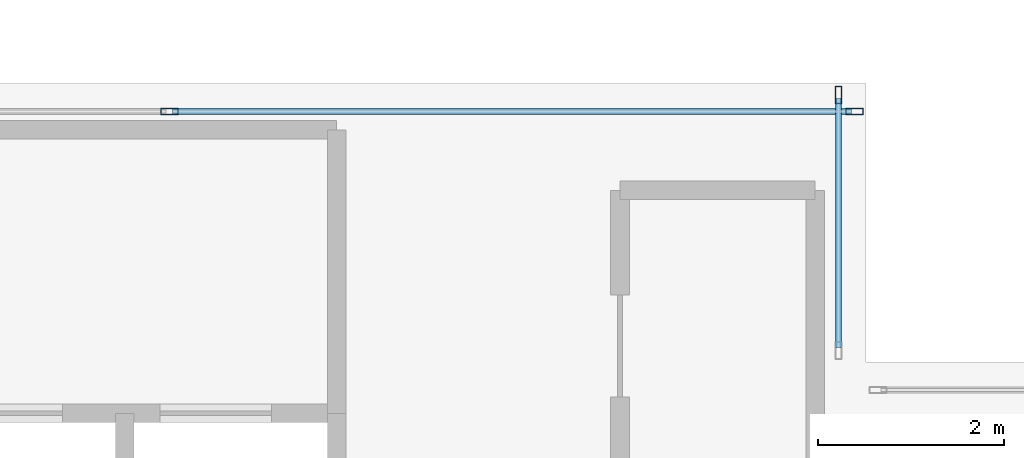
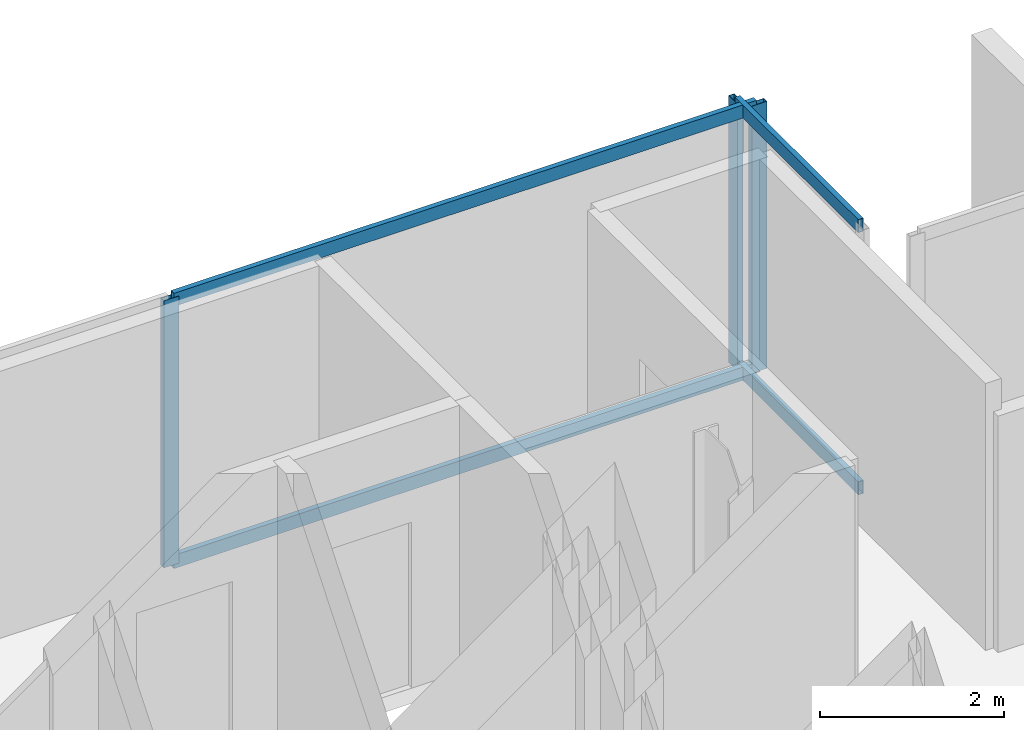
# One storey, part 13 of 26: 7 members, 2 elements without a shape of their own.
"""IFC4 building model written with IfcOpenShell, lengths in metres."""

from ifc_helpers import new_model, si_unit, direction, frame, origin, origin_2d, place, context, subcontext, project, spatial, hollow_rectangle, extrude, material, layer, layer_set, material_profile, profile_set, type_object, element, aggregate, save


model = new_model("IFC4")

# Units and contexts
model_context = context("Model", 3, precision=1e-05, world=origin(), true_north=direction((0.0, 1.0)))
body_context = subcontext(model_context, "Body", "Model", "MODEL_VIEW")
ifc_project = project(units=[si_unit("LENGTHUNIT", "METRE"), si_unit("AREAUNIT", "SQUARE_METRE"), si_unit("VOLUMEUNIT", "CUBIC_METRE"), si_unit("PLANEANGLEUNIT", "RADIAN"), si_unit("MASSUNIT", "GRAM", prefix="KILO"), si_unit("THERMODYNAMICTEMPERATUREUNIT", "KELVIN"), si_unit("POWERUNIT", "WATT")], contexts=[model_context])

# Site, building, storey
site_placement = place(None, origin())
site = spatial("IfcSite", under=ifc_project, at=site_placement, CompositionType="ELEMENT")
building_placement = place(site_placement, origin())
building = spatial("IfcBuilding", under=site, at=building_placement, Name="Svarakhadi Broadcast Tower", CompositionType="ELEMENT")
storey_placement = place(building_placement, frame((0.0, 0.0, 180.449951171875)))
storey = spatial("IfcBuildingStorey", under=building, at=storey_placement, Name="L44", CompositionType="ELEMENT", Elevation=180.449951171875)

# Curtain wall, members
ifc_material = material(Name="Anodised Bronze Aluminium AA 6063-T6", Category="aluminium")
ifc_layer = layer(ifc_material, 0.18994140625)
ifc_layer_set = layer_set([ifc_layer], Name="Anodised Bronze Aluminium AA 6063-T6")
curtain_wall_type = type_object("IfcCurtainWallType", Name="CW_Sys_04", PredefinedType="NOTDEFINED", material=ifc_layer_set)
curtain_wall_1_placement = place(storey_placement, origin())
curtain_wall_1 = element("IfcCurtainWall", 1, at=curtain_wall_1_placement, inside=storey, type_object=curtain_wall_type, Name="L44 Unitised Facade Curtain Wall 10", PredefinedType="NOTDEFINED")
ifc_material_profile_1 = material_profile(ifc_material, hollow_rectangle(XDim=0.070068359375, YDim=0.18994140625, WallThickness=0.005615234375, at=origin_2d()), Name="ALU MULLION 190x70x6")
ifc_profile_set_1 = profile_set([ifc_material_profile_1], Name="Anodised Bronze Aluminium AA 6063-T6")
member_type_1 = type_object("IfcMemberType", Name="CW_Sys_04_Mul", PredefinedType="MULLION", material=ifc_profile_set_1)
member_1_placement = place(storey_placement, frame((31.5, 23.699951171875, 0.0), z_axis=(0.0, 0.0, 1.0), x_axis=(0.0, 1.0, 0.0)))
member_1 = element("IfcMember", 2, at=member_1_placement, type_object=member_type_1, Name="CW-04 mullion 2", PredefinedType="MULLION", context=body_context, shape_type="SweptSolid", body=[
    extrude(hollow_rectangle(XDim=0.070068359375, YDim=0.18994140625, WallThickness=0.005615234375, at=origin_2d()), origin(), (0.0, 0.0, 1.0), 3.5400390625),
])
member_2_placement = place(storey_placement, frame((38.875, 23.699951171875, 0.0), z_axis=(0.0, 0.0, 1.0), x_axis=(0.0, 1.0, 0.0)))
member_2 = element("IfcMember", 3, at=member_2_placement, type_object=member_type_1, Name="CW-04 mullion 3", PredefinedType="MULLION", context=body_context, shape_type="SweptSolid", body=[
    extrude(hollow_rectangle(XDim=0.070068359375, YDim=0.18994140625, WallThickness=0.005615234375, at=origin_2d()), origin(), (0.0, 0.0, 1.0), 3.5400390625),
])

# Curtain wall, member
curtain_wall_2_placement = place(storey_placement, origin())
curtain_wall_2 = element("IfcCurtainWall", 4, at=curtain_wall_2_placement, inside=storey, type_object=curtain_wall_type, Name="L44 Unitised Facade Curtain Wall 11", PredefinedType="NOTDEFINED")
member_3_placement = place(storey_placement, frame((38.699951171875, 23.875, 0.0), z_axis=(0.0, 0.0, 1.0), x_axis=(1.0, 0.0, 0.0)))
member_3 = element("IfcMember", 5, at=member_3_placement, type_object=member_type_1, Name="CW-04 mullion 1", PredefinedType="MULLION", context=body_context, shape_type="SweptSolid", body=[
    extrude(hollow_rectangle(XDim=0.070068359375, YDim=0.18994140625, WallThickness=0.005615234375, at=origin_2d()), origin(), (0.0, 0.0, 1.0), 3.5400390625),
])

# Member
ifc_material_profile_2 = material_profile(ifc_material, hollow_rectangle(XDim=0.06494140625, YDim=0.175048828125, WallThickness=0.0048828125, at=origin_2d()), Name="ALU TRANSOM 175x65x5")
ifc_profile_set_2 = profile_set([ifc_material_profile_2], Name="Anodised Bronze Aluminium AA 6063-T6")
member_type_2 = type_object("IfcMemberType", Name="CW_Sys_04_Trn", PredefinedType="USERDEFINED", material=ifc_profile_set_2)
member_4_placement = place(storey_placement, frame((31.534912109375, 23.699951171875, 0.032470703125), z_axis=(1.0, 0.0, 0.0), x_axis=(0.0, 1.0, 0.0)))
member_4 = element("IfcMember", 6, at=member_4_placement, type_object=member_type_2, Name="CW-04 transom 2.1", ObjectType="TRANSOM", PredefinedType="USERDEFINED", context=body_context, shape_type="SweptSolid", body=[
    extrude(hollow_rectangle(XDim=0.06494140625, YDim=0.175048828125, WallThickness=0.0048828125, at=origin_2d()), origin(), (0.0, 0.0, 1.0), 7.30517578125),
])

member_5_placement = place(storey_placement, frame((31.534912109375, 23.699951171875, 3.507568359375), z_axis=(1.0, 0.0, 0.0), x_axis=(0.0, 1.0, 0.0)))
member_5 = element("IfcMember", 7, at=member_5_placement, type_object=member_type_2, Name="CW-04 transom 2.2", ObjectType="TRANSOM", PredefinedType="USERDEFINED", context=body_context, shape_type="SweptSolid", body=[
    extrude(hollow_rectangle(XDim=0.06494140625, YDim=0.175048828125, WallThickness=0.0048828125, at=origin_2d()), origin(), (0.0, 0.0, 1.0), 7.30517578125),
])

aggregate(curtain_wall_1, [member_1, member_2, member_4, member_5])

member_6_placement = place(storey_placement, frame((38.699951171875, 23.840087890625, 0.032470703125), z_axis=(0.0, -1.0, 0.0), x_axis=(1.0, 0.0, 0.0)))
member_6 = element("IfcMember", 8, at=member_6_placement, type_object=member_type_2, Name="CW-04 transom 1.1", ObjectType="TRANSOM", PredefinedType="USERDEFINED", context=body_context, shape_type="SweptSolid", body=[
    extrude(hollow_rectangle(XDim=0.06494140625, YDim=0.175048828125, WallThickness=0.0048828125, at=origin_2d()), origin(), (0.0, 0.0, 1.0), 2.68017578125),
])

member_7_placement = place(storey_placement, frame((38.699951171875, 23.840087890625, 3.507568359375), z_axis=(0.0, -1.0, 0.0), x_axis=(1.0, 0.0, 0.0)))
member_7 = element("IfcMember", 9, at=member_7_placement, type_object=member_type_2, Name="CW-04 transom 1.2", ObjectType="TRANSOM", PredefinedType="USERDEFINED", context=body_context, shape_type="SweptSolid", body=[
    extrude(hollow_rectangle(XDim=0.06494140625, YDim=0.175048828125, WallThickness=0.0048828125, at=origin_2d()), origin(), (0.0, 0.0, 1.0), 2.68017578125),
])

aggregate(curtain_wall_2, [member_3, member_6, member_7])

save(model, "model.ifc")
